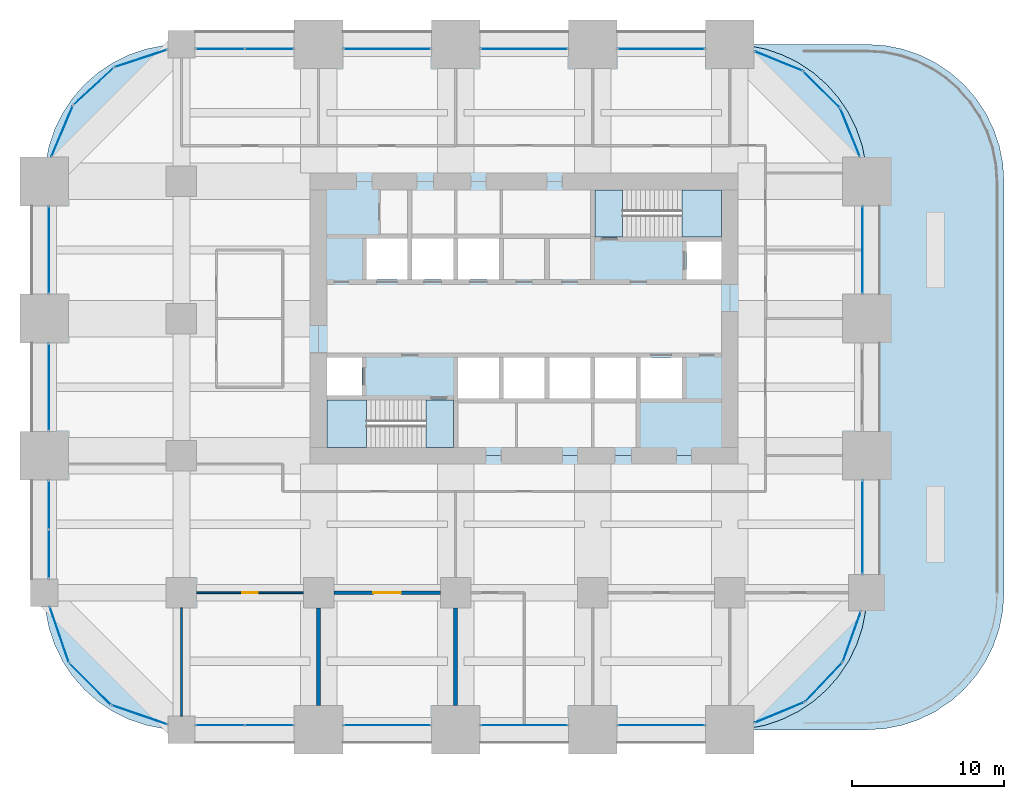
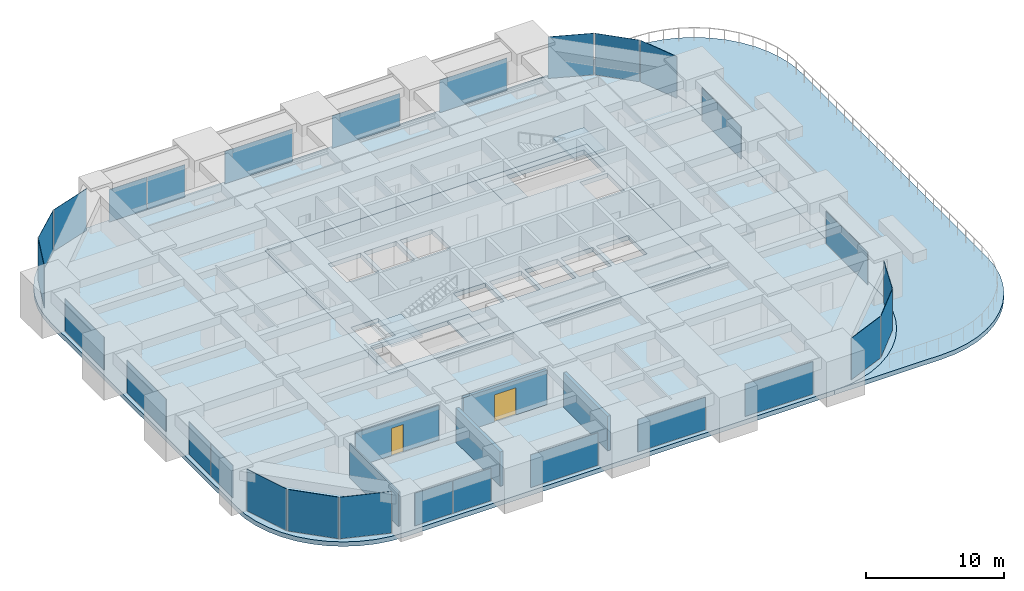
# One storey, part 30 of 35: 28 plates, 7 slabs, 5 walls, 2 doors, 2 openings, 27 elements without a shape of their own.
"""IFC4 building model written with IfcOpenShell, lengths in metres."""

from ifc_helpers import new_model, si_unit, direction, frame, frame_2d, origin, origin_2d, place, context, subcontext, project, spatial, polyline, rectangle, outline, extrude, material, layer, layer_set, type_object, element, fill, aggregate, save


model = new_model("IFC4")

# Units and contexts
model_context = context("Model", 3, precision=1e-05, world=origin(), true_north=direction((0.0, 1.0)))
body_context = subcontext(model_context, "Body", "Model", "MODEL_VIEW")
ifc_project = project(units=[si_unit("LENGTHUNIT", "METRE"), si_unit("AREAUNIT", "SQUARE_METRE"), si_unit("VOLUMEUNIT", "CUBIC_METRE"), si_unit("PLANEANGLEUNIT", "RADIAN"), si_unit("MASSUNIT", "GRAM", prefix="KILO")], contexts=[model_context])

# Site, building, storey
site_placement = place(None, origin())
site = spatial("IfcSite", under=ifc_project, at=site_placement, CompositionType="ELEMENT")
building_placement = place(site_placement, origin())
building = spatial("IfcBuilding", under=site, at=building_placement, Name="Zorevar Civic Tower", CompositionType="ELEMENT")
storey_placement = place(building_placement, frame((0.0, 0.0, 162.199951171875)))
storey = spatial("IfcBuildingStorey", under=building, at=storey_placement, Name="L39", CompositionType="ELEMENT", Elevation=162.199951171875)

# Curtain wall, plates
ifc_material_1 = material(Name="Dark grey solar-control glass in black aluminium frame", Category="aluminium")
curtain_wall_type = type_object("IfcCurtainWallType", Name="Curtain wall CW4 high zone", PredefinedType="NOTDEFINED", material=ifc_material_1)
curtain_wall_1_placement = place(storey_placement, origin())
curtain_wall_1 = element("IfcCurtainWall", 1, at=curtain_wall_1_placement, inside=storey, type_object=curtain_wall_type, Name="CW4 L39", PredefinedType="NOTDEFINED")
ifc_material_2 = material(Name="Dark grey solar-control glass", Category="glass")
ifc_layer_1 = layer(ifc_material_2, 0.028076171875)
ifc_layer_set_1 = layer_set([ifc_layer_1], Name="CW4 panel 28")
plate_type = type_object("IfcPlateType", Name="CW4 panel 28", PredefinedType="CURTAIN_PANEL", material=ifc_layer_set_1)
plate_1_placement = place(storey_placement, frame((11.5400390625, 0.300048828125, 0.06005859375), z_axis=(0.0, 0.0, 1.0), x_axis=(1.0, 0.0, 0.0)))
plate_1 = element("IfcPlate", 2, at=plate_1_placement, type_object=plate_type, Name="CW4 panel 1.1", PredefinedType="CURTAIN_PANEL", context=body_context, shape_type="SweptSolid", body=[
    extrude(rectangle(XDim=3.159912109375, YDim=0.028076171875, at=origin_2d()), origin(), (0.0, 0.0, 1.0), 2.889892578125),
])
plate_2_placement = place(storey_placement, frame((14.760009765625, 0.300048828125, 0.06005859375), z_axis=(0.0, 0.0, 1.0), x_axis=(1.0, 0.0, 0.0)))
plate_2 = element("IfcPlate", 3, at=plate_2_placement, type_object=plate_type, Name="CW4 panel 2.1", PredefinedType="CURTAIN_PANEL", context=body_context, shape_type="SweptSolid", body=[
    extrude(rectangle(XDim=3.159912109375, YDim=0.028076171875, at=origin_2d()), origin(), (0.0, 0.0, 1.0), 2.889892578125),
])
aggregate(curtain_wall_1, [plate_1, plate_2])

curtain_wall_2_placement = place(storey_placement, origin())
curtain_wall_2 = element("IfcCurtainWall", 4, at=curtain_wall_2_placement, inside=storey, type_object=curtain_wall_type, Name="CW4 L39", PredefinedType="NOTDEFINED")
plate_3_placement = place(storey_placement, frame((11.5400390625, 44.699951171875, 0.06005859375), z_axis=(0.0, 0.0, 1.0), x_axis=(1.0, 0.0, 0.0)))
plate_3 = element("IfcPlate", 5, at=plate_3_placement, type_object=plate_type, Name="CW4 panel 1.1", PredefinedType="CURTAIN_PANEL", context=body_context, shape_type="SweptSolid", body=[
    extrude(rectangle(XDim=3.159912109375, YDim=0.028076171875, at=origin_2d()), origin(), (0.0, 0.0, 1.0), 2.889892578125),
])
plate_4_placement = place(storey_placement, frame((14.760009765625, 44.699951171875, 0.06005859375), z_axis=(0.0, 0.0, 1.0), x_axis=(1.0, 0.0, 0.0)))
plate_4 = element("IfcPlate", 6, at=plate_4_placement, type_object=plate_type, Name="CW4 panel 2.1", PredefinedType="CURTAIN_PANEL", context=body_context, shape_type="SweptSolid", body=[
    extrude(rectangle(XDim=3.159912109375, YDim=0.028076171875, at=origin_2d()), origin(), (0.0, 0.0, 1.0), 2.889892578125),
])
aggregate(curtain_wall_2, [plate_3, plate_4])

# Curtain wall, plate
curtain_wall_3_placement = place(storey_placement, origin())
curtain_wall_3 = element("IfcCurtainWall", 7, at=curtain_wall_3_placement, inside=storey, type_object=curtain_wall_type, Name="CW4 L39", PredefinedType="NOTDEFINED")
plate_5_placement = place(storey_placement, frame((22.5, 0.300048828125, 0.06005859375), z_axis=(0.0, 0.0, 1.0), x_axis=(1.0, 0.0, 0.0)))
plate_5 = element("IfcPlate", 8, at=plate_5_placement, type_object=plate_type, Name="CW4 panel 1.1", PredefinedType="CURTAIN_PANEL", context=body_context, shape_type="SweptSolid", body=[
    extrude(rectangle(XDim=5.679931640625, YDim=0.028076171875, at=origin_2d()), origin(), (0.0, 0.0, 1.0), 2.889892578125),
])
aggregate(curtain_wall_3, [plate_5])

curtain_wall_4_placement = place(storey_placement, origin())
curtain_wall_4 = element("IfcCurtainWall", 9, at=curtain_wall_4_placement, inside=storey, type_object=curtain_wall_type, Name="CW4 L39", PredefinedType="NOTDEFINED")
plate_6_placement = place(storey_placement, frame((22.5, 44.699951171875, 0.06005859375), z_axis=(0.0, 0.0, 1.0), x_axis=(1.0, 0.0, 0.0)))
plate_6 = element("IfcPlate", 10, at=plate_6_placement, type_object=plate_type, Name="CW4 panel 1.1", PredefinedType="CURTAIN_PANEL", context=body_context, shape_type="SweptSolid", body=[
    extrude(rectangle(XDim=5.679931640625, YDim=0.028076171875, at=origin_2d()), origin(), (0.0, 0.0, 1.0), 2.889892578125),
])
aggregate(curtain_wall_4, [plate_6])

curtain_wall_5_placement = place(storey_placement, origin())
curtain_wall_5 = element("IfcCurtainWall", 11, at=curtain_wall_5_placement, inside=storey, type_object=curtain_wall_type, Name="CW4 L39", PredefinedType="NOTDEFINED")
plate_7_placement = place(storey_placement, frame((31.5, 0.300048828125, 0.06005859375), z_axis=(0.0, 0.0, 1.0), x_axis=(1.0, 0.0, 0.0)))
plate_7 = element("IfcPlate", 12, at=plate_7_placement, type_object=plate_type, Name="CW4 panel 1.1", PredefinedType="CURTAIN_PANEL", context=body_context, shape_type="SweptSolid", body=[
    extrude(rectangle(XDim=5.679931640625, YDim=0.028076171875, at=origin_2d()), origin(), (0.0, 0.0, 1.0), 2.889892578125),
])
aggregate(curtain_wall_5, [plate_7])

curtain_wall_6_placement = place(storey_placement, origin())
curtain_wall_6 = element("IfcCurtainWall", 13, at=curtain_wall_6_placement, inside=storey, type_object=curtain_wall_type, Name="CW4 L39", PredefinedType="NOTDEFINED")
plate_8_placement = place(storey_placement, frame((31.5, 44.699951171875, 0.06005859375), z_axis=(0.0, 0.0, 1.0), x_axis=(1.0, 0.0, 0.0)))
plate_8 = element("IfcPlate", 14, at=plate_8_placement, type_object=plate_type, Name="CW4 panel 1.1", PredefinedType="CURTAIN_PANEL", context=body_context, shape_type="SweptSolid", body=[
    extrude(rectangle(XDim=5.679931640625, YDim=0.028076171875, at=origin_2d()), origin(), (0.0, 0.0, 1.0), 2.889892578125),
])
aggregate(curtain_wall_6, [plate_8])

curtain_wall_7_placement = place(storey_placement, origin())
curtain_wall_7 = element("IfcCurtainWall", 15, at=curtain_wall_7_placement, inside=storey, type_object=curtain_wall_type, Name="CW4 L39", PredefinedType="NOTDEFINED")
plate_9_placement = place(storey_placement, frame((40.5, 0.300048828125, 0.06005859375), z_axis=(0.0, 0.0, 1.0), x_axis=(1.0, 0.0, 0.0)))
plate_9 = element("IfcPlate", 16, at=plate_9_placement, type_object=plate_type, Name="CW4 panel 1.1", PredefinedType="CURTAIN_PANEL", context=body_context, shape_type="SweptSolid", body=[
    extrude(rectangle(XDim=5.679931640625, YDim=0.028076171875, at=origin_2d()), origin(), (0.0, 0.0, 1.0), 2.889892578125),
])
aggregate(curtain_wall_7, [plate_9])

curtain_wall_8_placement = place(storey_placement, origin())
curtain_wall_8 = element("IfcCurtainWall", 17, at=curtain_wall_8_placement, inside=storey, type_object=curtain_wall_type, Name="CW4 L39", PredefinedType="NOTDEFINED")
plate_10_placement = place(storey_placement, frame((40.5, 44.699951171875, 0.06005859375), z_axis=(0.0, 0.0, 1.0), x_axis=(1.0, 0.0, 0.0)))
plate_10 = element("IfcPlate", 18, at=plate_10_placement, type_object=plate_type, Name="CW4 panel 1.1", PredefinedType="CURTAIN_PANEL", context=body_context, shape_type="SweptSolid", body=[
    extrude(rectangle(XDim=5.679931640625, YDim=0.028076171875, at=origin_2d()), origin(), (0.0, 0.0, 1.0), 2.889892578125),
])
aggregate(curtain_wall_8, [plate_10])

# Curtain wall, plates
curtain_wall_9_placement = place(storey_placement, origin())
curtain_wall_9 = element("IfcCurtainWall", 19, at=curtain_wall_9_placement, inside=storey, type_object=curtain_wall_type, Name="CW4 L39", PredefinedType="NOTDEFINED")
plate_11_placement = place(storey_placement, frame((0.300048828125, 11.5400390625, 0.06005859375), z_axis=(0.0, 0.0, 1.0), x_axis=(0.0, 1.0, 0.0)))
plate_11 = element("IfcPlate", 20, at=plate_11_placement, type_object=plate_type, Name="CW4 panel 1.1", PredefinedType="CURTAIN_PANEL", context=body_context, shape_type="SweptSolid", body=[
    extrude(rectangle(XDim=3.159912109375, YDim=0.028076171875, at=origin_2d()), origin(), (0.0, 0.0, 1.0), 2.889892578125),
])
plate_12_placement = place(storey_placement, frame((0.300048828125, 14.760009765625, 0.06005859375), z_axis=(0.0, 0.0, 1.0), x_axis=(0.0, 1.0, 0.0)))
plate_12 = element("IfcPlate", 21, at=plate_12_placement, type_object=plate_type, Name="CW4 panel 2.1", PredefinedType="CURTAIN_PANEL", context=body_context, shape_type="SweptSolid", body=[
    extrude(rectangle(XDim=3.159912109375, YDim=0.028076171875, at=origin_2d()), origin(), (0.0, 0.0, 1.0), 2.889892578125),
])
aggregate(curtain_wall_9, [plate_11, plate_12])

# Curtain wall, plate
curtain_wall_10_placement = place(storey_placement, origin())
curtain_wall_10 = element("IfcCurtainWall", 22, at=curtain_wall_10_placement, inside=storey, type_object=curtain_wall_type, Name="CW4 L39", PredefinedType="NOTDEFINED")
plate_13_placement = place(storey_placement, frame((53.699951171875, 13.300048828125, 0.06005859375), z_axis=(0.0, 0.0, 1.0), x_axis=(0.0, 1.0, 0.0)))
plate_13 = element("IfcPlate", 23, at=plate_13_placement, type_object=plate_type, Name="CW4 panel 1.1", PredefinedType="CURTAIN_PANEL", context=body_context, shape_type="SweptSolid", body=[
    extrude(rectangle(XDim=6.080078125, YDim=0.028076171875, at=origin_2d()), origin(), (0.0, 0.0, 1.0), 2.889892578125),
])
aggregate(curtain_wall_10, [plate_13])

curtain_wall_11_placement = place(storey_placement, origin())
curtain_wall_11 = element("IfcCurtainWall", 24, at=curtain_wall_11_placement, inside=storey, type_object=curtain_wall_type, Name="CW4 L39", PredefinedType="NOTDEFINED")
plate_14_placement = place(storey_placement, frame((0.300048828125, 22.5, 0.06005859375), z_axis=(0.0, 0.0, 1.0), x_axis=(0.0, 1.0, 0.0)))
plate_14 = element("IfcPlate", 25, at=plate_14_placement, type_object=plate_type, Name="CW4 panel 1.1", PredefinedType="CURTAIN_PANEL", context=body_context, shape_type="SweptSolid", body=[
    extrude(rectangle(XDim=5.679931640625, YDim=0.028076171875, at=origin_2d()), origin(), (0.0, 0.0, 1.0), 2.889892578125),
])
aggregate(curtain_wall_11, [plate_14])

curtain_wall_12_placement = place(storey_placement, origin())
curtain_wall_12 = element("IfcCurtainWall", 26, at=curtain_wall_12_placement, inside=storey, type_object=curtain_wall_type, Name="CW4 L39", PredefinedType="NOTDEFINED")
plate_15_placement = place(storey_placement, frame((0.300048828125, 31.5, 0.06005859375), z_axis=(0.0, 0.0, 1.0), x_axis=(0.0, 1.0, 0.0)))
plate_15 = element("IfcPlate", 27, at=plate_15_placement, type_object=plate_type, Name="CW4 panel 1.1", PredefinedType="CURTAIN_PANEL", context=body_context, shape_type="SweptSolid", body=[
    extrude(rectangle(XDim=5.679931640625, YDim=0.028076171875, at=origin_2d()), origin(), (0.0, 0.0, 1.0), 2.889892578125),
])
aggregate(curtain_wall_12, [plate_15])

curtain_wall_13_placement = place(storey_placement, origin())
curtain_wall_13 = element("IfcCurtainWall", 28, at=curtain_wall_13_placement, inside=storey, type_object=curtain_wall_type, Name="CW4 L39", PredefinedType="NOTDEFINED")
plate_16_placement = place(storey_placement, frame((53.699951171875, 31.5, 0.06005859375), z_axis=(0.0, 0.0, 1.0), x_axis=(0.0, 1.0, 0.0)))
plate_16 = element("IfcPlate", 29, at=plate_16_placement, type_object=plate_type, Name="CW4 panel 1.1", PredefinedType="CURTAIN_PANEL", context=body_context, shape_type="SweptSolid", body=[
    extrude(rectangle(XDim=5.679931640625, YDim=0.028076171875, at=origin_2d()), origin(), (0.0, 0.0, 1.0), 2.889892578125),
])
aggregate(curtain_wall_13, [plate_16])

curtain_wall_14_placement = place(storey_placement, origin())
curtain_wall_14 = element("IfcCurtainWall", 30, at=curtain_wall_14_placement, inside=storey, type_object=curtain_wall_type, Name="CW4 L39", PredefinedType="NOTDEFINED")
plate_17_placement = place(storey_placement, frame((48.259033203125, 1.135986328125, 0.06005859375), z_axis=(0.0, 0.0, 1.0), x_axis=(0.92381416997, 0.382841193399, 0.0)))
plate_17 = element("IfcPlate", 31, at=plate_17_placement, type_object=plate_type, Name="CW4 panel 1.1", PredefinedType="CURTAIN_PANEL", context=body_context, shape_type="SweptSolid", body=[
    extrude(rectangle(XDim=3.4716796875, YDim=0.028076171875, at=origin_2d()), origin(), (0.0, 0.0, 1.0), 3.68994140625),
])
aggregate(curtain_wall_14, [plate_17])

curtain_wall_15_placement = place(storey_placement, origin())
curtain_wall_15 = element("IfcCurtainWall", 32, at=curtain_wall_15_placement, inside=storey, type_object=curtain_wall_type, Name="CW4 L39", PredefinedType="NOTDEFINED")
plate_18_placement = place(storey_placement, frame((51.157958984375, 3.12255859375, 0.06005859375), z_axis=(0.0, 0.0, 1.0), x_axis=(0.690436894136, 0.723392628671, 0.0)))
plate_18 = element("IfcPlate", 33, at=plate_18_placement, type_object=plate_type, Name="CW4 panel 1.1", PredefinedType="CURTAIN_PANEL", context=body_context, shape_type="SweptSolid", body=[
    extrude(rectangle(XDim=3.4716796875, YDim=0.028076171875, at=origin_2d()), origin(), (0.0, 0.0, 1.0), 3.68994140625),
])
aggregate(curtain_wall_15, [plate_18])

curtain_wall_16_placement = place(storey_placement, origin())
curtain_wall_16 = element("IfcCurtainWall", 34, at=curtain_wall_16_placement, inside=storey, type_object=curtain_wall_type, Name="CW4 L39", PredefinedType="NOTDEFINED")
plate_19_placement = place(storey_placement, frame((53.00732421875, 6.11083984375, 0.06005859375), z_axis=(0.0, 0.0, 1.0), x_axis=(0.339414723454, 0.940636829761, 0.0)))
plate_19 = element("IfcPlate", 35, at=plate_19_placement, type_object=plate_type, Name="CW4 panel 1.1", PredefinedType="CURTAIN_PANEL", context=body_context, shape_type="SweptSolid", body=[
    extrude(rectangle(XDim=3.4716796875, YDim=0.028076171875, at=origin_2d()), origin(), (0.0, 0.0, 1.0), 3.68994140625),
])
aggregate(curtain_wall_16, [plate_19])

curtain_wall_17_placement = place(storey_placement, origin())
curtain_wall_17 = element("IfcCurtainWall", 36, at=curtain_wall_17_placement, inside=storey, type_object=curtain_wall_type, Name="CW4 L39", PredefinedType="NOTDEFINED")
plate_20_placement = place(storey_placement, frame((52.90185546875, 39.202880859375, 0.06005859375), z_axis=(0.0, 0.0, 1.0), x_axis=(-0.375650166453, 0.926761540227, 0.0)))
plate_20 = element("IfcPlate", 37, at=plate_20_placement, type_object=plate_type, Name="CW4 panel 1.1", PredefinedType="CURTAIN_PANEL", context=body_context, shape_type="SweptSolid", body=[
    extrude(rectangle(XDim=3.33935546875, YDim=0.028076171875, at=origin_2d()), origin(), (0.0, 0.0, 1.0), 3.68994140625),
])
aggregate(curtain_wall_17, [plate_20])

curtain_wall_18_placement = place(storey_placement, origin())
curtain_wall_18 = element("IfcCurtainWall", 38, at=curtain_wall_18_placement, inside=storey, type_object=curtain_wall_type, Name="CW4 L39", PredefinedType="NOTDEFINED")
plate_21_placement = place(storey_placement, frame((51.029052734375, 42.029052734375, 0.06005859375), z_axis=(0.0, 0.0, 1.0), x_axis=(-0.707106781187, 0.707106781187, 0.0)))
plate_21 = element("IfcPlate", 39, at=plate_21_placement, type_object=plate_type, Name="CW4 panel 1.1", PredefinedType="CURTAIN_PANEL", context=body_context, shape_type="SweptSolid", body=[
    extrude(rectangle(XDim=3.33935546875, YDim=0.028076171875, at=origin_2d()), origin(), (0.0, 0.0, 1.0), 3.68994140625),
])
aggregate(curtain_wall_18, [plate_21])

curtain_wall_19_placement = place(storey_placement, origin())
curtain_wall_19 = element("IfcCurtainWall", 40, at=curtain_wall_19_placement, inside=storey, type_object=curtain_wall_type, Name="CW4 L39", PredefinedType="NOTDEFINED")
plate_22_placement = place(storey_placement, frame((48.202880859375, 43.90185546875, 0.06005859375), z_axis=(0.0, 0.0, 1.0), x_axis=(-0.926761540227, 0.375650166453, 0.0)))
plate_22 = element("IfcPlate", 41, at=plate_22_placement, type_object=plate_type, Name="CW4 panel 1.1", PredefinedType="CURTAIN_PANEL", context=body_context, shape_type="SweptSolid", body=[
    extrude(rectangle(XDim=3.33935546875, YDim=0.028076171875, at=origin_2d()), origin(), (0.0, 0.0, 1.0), 3.68994140625),
])
aggregate(curtain_wall_19, [plate_22])

curtain_wall_20_placement = place(storey_placement, origin())
curtain_wall_20 = element("IfcCurtainWall", 42, at=curtain_wall_20_placement, inside=storey, type_object=curtain_wall_type, Name="CW4 L39", PredefinedType="NOTDEFINED")
plate_23_placement = place(storey_placement, frame((6.34716796875, 44.07763671875, 0.06005859375), z_axis=(0.0, 0.0, 1.0), x_axis=(-0.950070156117, -0.31203637361, 0.0)))
plate_23 = element("IfcPlate", 43, at=plate_23_placement, type_object=plate_type, Name="CW4 panel 1.1", PredefinedType="CURTAIN_PANEL", context=body_context, shape_type="SweptSolid", body=[
    extrude(rectangle(XDim=3.570068359375, YDim=0.028076171875, at=origin_2d()), origin(), (0.0, 0.0, 1.0), 3.68994140625),
])
aggregate(curtain_wall_20, [plate_23])

curtain_wall_21_placement = place(storey_placement, origin())
curtain_wall_21 = element("IfcCurtainWall", 44, at=curtain_wall_21_placement, inside=storey, type_object=curtain_wall_type, Name="CW4 L39", PredefinedType="NOTDEFINED")
plate_24_placement = place(storey_placement, frame((3.237548828125, 42.251220703125, 0.06005859375), z_axis=(0.0, 0.0, 1.0), x_axis=(-0.7352671134, -0.677777450165, 0.0)))
plate_24 = element("IfcPlate", 45, at=plate_24_placement, type_object=plate_type, Name="CW4 panel 1.1", PredefinedType="CURTAIN_PANEL", context=body_context, shape_type="SweptSolid", body=[
    extrude(rectangle(XDim=3.570068359375, YDim=0.028076171875, at=origin_2d()), origin(), (0.0, 0.0, 1.0), 3.68994140625),
])
aggregate(curtain_wall_21, [plate_24])

curtain_wall_22_placement = place(storey_placement, origin())
curtain_wall_22 = element("IfcCurtainWall", 46, at=curtain_wall_22_placement, inside=storey, type_object=curtain_wall_type, Name="CW4 L39", PredefinedType="NOTDEFINED")
plate_25_placement = place(storey_placement, frame((1.16455078125, 39.30029296875, 0.06005859375), z_axis=(0.0, 0.0, 1.0), x_axis=(-0.388184349349, -0.921581744025, 0.0)))
plate_25 = element("IfcPlate", 47, at=plate_25_placement, type_object=plate_type, Name="CW4 panel 1.1", PredefinedType="CURTAIN_PANEL", context=body_context, shape_type="SweptSolid", body=[
    extrude(rectangle(XDim=3.570068359375, YDim=0.028076171875, at=origin_2d()), origin(), (0.0, 0.0, 1.0), 3.68994140625),
])
aggregate(curtain_wall_22, [plate_25])

curtain_wall_23_placement = place(storey_placement, origin())
curtain_wall_23 = element("IfcCurtainWall", 48, at=curtain_wall_23_placement, inside=storey, type_object=curtain_wall_type, Name="CW4 L39", PredefinedType="NOTDEFINED")
plate_26_placement = place(storey_placement, frame((0.9833984375, 6.24609375, 0.06005859375), z_axis=(0.0, 0.0, 1.0), x_axis=(0.324878466857, -0.945755772794, 0.0)))
plate_26 = element("IfcPlate", 49, at=plate_26_placement, type_object=plate_type, Name="CW4 panel 1.1", PredefinedType="CURTAIN_PANEL", context=body_context, shape_type="SweptSolid", body=[
    extrude(rectangle(XDim=3.80029296875, YDim=0.028076171875, at=origin_2d()), origin(), (0.0, 0.0, 1.0), 3.68994140625),
])
aggregate(curtain_wall_23, [plate_26])

curtain_wall_24_placement = place(storey_placement, origin())
curtain_wall_24 = element("IfcCurtainWall", 50, at=curtain_wall_24_placement, inside=storey, type_object=curtain_wall_type, Name="CW4 L39", PredefinedType="NOTDEFINED")
plate_27_placement = place(storey_placement, frame((3.00634765625, 3.00634765625, 0.06005859375), z_axis=(0.0, 0.0, 1.0), x_axis=(0.707106781187, -0.707106781187, 0.0)))
plate_27 = element("IfcPlate", 51, at=plate_27_placement, type_object=plate_type, Name="CW4 panel 1.1", PredefinedType="CURTAIN_PANEL", context=body_context, shape_type="SweptSolid", body=[
    extrude(rectangle(XDim=3.80029296875, YDim=0.028076171875, at=origin_2d()), origin(), (0.0, 0.0, 1.0), 3.68994140625),
])
aggregate(curtain_wall_24, [plate_27])

curtain_wall_25_placement = place(storey_placement, origin())
curtain_wall_25 = element("IfcCurtainWall", 52, at=curtain_wall_25_placement, inside=storey, type_object=curtain_wall_type, Name="CW4 L39", PredefinedType="NOTDEFINED")
plate_28_placement = place(storey_placement, frame((6.24609375, 0.9833984375, 0.06005859375), z_axis=(0.0, 0.0, 1.0), x_axis=(0.945755772794, -0.324878466857, 0.0)))
plate_28 = element("IfcPlate", 53, at=plate_28_placement, type_object=plate_type, Name="CW4 panel 1.1", PredefinedType="CURTAIN_PANEL", context=body_context, shape_type="SweptSolid", body=[
    extrude(rectangle(XDim=3.80029296875, YDim=0.028076171875, at=origin_2d()), origin(), (0.0, 0.0, 1.0), 3.68994140625),
])
aggregate(curtain_wall_25, [plate_28])

# Slabs
ifc_material_3 = material(Name="Concrete C40/50", Category="concrete")
ifc_layer_2 = layer(ifc_material_3, 0.39990234375)
ifc_layer_set_2 = layer_set([ifc_layer_2], Name="Floor slab 400")
slab_type_1 = type_object("IfcSlabType", Name="Floor slab 400", PredefinedType="FLOOR", material=ifc_layer_set_2)
slab_1_placement = place(storey_placement, frame((0.0, 0.0, -0.39990234375)))
element("IfcSlab", 54, at=slab_1_placement, inside=storey, type_object=slab_type_1, Name="Floor slab L39", PredefinedType="FLOOR", context=body_context, shape_type="SweptSolid", body=[
    extrude(outline(polyline([(45.0, 0.0), (46.1748046875, 0.076904296875), (47.329345703125, 0.306640625), (48.444091796875, 0.68505859375), (49.5, 1.205810546875), (50.478759765625, 1.85986328125), (51.364013671875, 2.635986328125), (52.14013671875, 3.521240234375), (52.794189453125, 4.5), (53.31494140625, 5.555908203125), (53.693359375, 6.670654296875), (53.923095703125, 7.8251953125), (54.0, 9.0), (54.0, 36.0), (53.923095703125, 37.1748046875), (53.693359375, 38.329345703125), (53.31494140625, 39.444091796875), (52.794189453125, 40.5), (52.14013671875, 41.478759765625), (51.364013671875, 42.364013671875), (50.478759765625, 43.14013671875), (49.5, 43.794189453125), (48.444091796875, 44.31494140625), (47.329345703125, 44.693359375), (46.1748046875, 44.923095703125), (45.0, 45.0), (9.0, 45.0), (7.8251953125, 44.923095703125), (6.670654296875, 44.693359375), (5.555908203125, 44.31494140625), (4.5, 43.794189453125), (3.521240234375, 43.14013671875), (2.635986328125, 42.364013671875), (1.85986328125, 41.478759765625), (1.205810546875, 40.5), (0.68505859375, 39.444091796875), (0.306640625, 38.329345703125), (0.076904296875, 37.1748046875), (0.0, 36.0), (0.0, 9.0), (0.076904296875, 7.8251953125), (0.306640625, 6.670654296875), (0.68505859375, 5.555908203125), (1.205810546875, 4.5), (1.85986328125, 3.521240234375), (2.635986328125, 2.635986328125), (3.521240234375, 1.85986328125), (4.5, 1.205810546875), (5.555908203125, 0.68505859375), (6.670654296875, 0.306640625), (7.8251953125, 0.076904296875), (9.0, 0.0), (45.0, 0.0)]), holes=[polyline([(18.0, 18.0), (45.0, 18.0), (45.0, 36.0), (18.0, 36.0), (18.0, 18.0)])]), origin(), (0.0, 0.0, 1.0), 0.39990234375),
])
slab_2_placement = place(storey_placement, frame((0.0, 0.0, -0.39990234375)))
element("IfcSlab", 55, at=slab_2_placement, inside=storey, type_object=slab_type_1, Name="Core floor L39", PredefinedType="FLOOR", context=body_context, shape_type="SweptSolid", body=[
    extrude(outline(polyline([(18.0, 18.0), (45.0, 18.0), (45.0, 36.0), (18.0, 36.0), (18.0, 18.0)]), holes=[polyline([(18.550048828125, 18.550048828125), (26.85009765625, 18.550048828125), (26.85009765625, 21.64990234375), (18.550048828125, 21.64990234375), (18.550048828125, 18.550048828125)]), polyline([(36.14990234375, 32.35009765625), (44.449951171875, 32.35009765625), (44.449951171875, 35.449951171875), (36.14990234375, 35.449951171875), (36.14990234375, 32.35009765625)]), polyline([(18.550048828125, 21.949951171875), (20.85009765625, 21.949951171875), (20.85009765625, 24.449951171875), (18.550048828125, 24.449951171875), (18.550048828125, 21.949951171875)]), polyline([(42.14990234375, 29.550048828125), (44.449951171875, 29.550048828125), (44.449951171875, 32.050048828125), (42.14990234375, 32.050048828125), (42.14990234375, 29.550048828125)]), polyline([(27.14990234375, 21.75), (29.85009765625, 21.75), (29.85009765625, 24.449951171875), (27.14990234375, 24.449951171875), (27.14990234375, 21.75)]), polyline([(30.14990234375, 21.75), (32.85009765625, 21.75), (32.85009765625, 24.449951171875), (30.14990234375, 24.449951171875), (30.14990234375, 21.75)]), polyline([(33.14990234375, 21.75), (35.85009765625, 21.75), (35.85009765625, 24.449951171875), (33.14990234375, 24.449951171875), (33.14990234375, 21.75)]), polyline([(27.14990234375, 29.550048828125), (29.85009765625, 29.550048828125), (29.85009765625, 32.25), (27.14990234375, 32.25), (27.14990234375, 29.550048828125)]), polyline([(36.14990234375, 21.75), (38.85009765625, 21.75), (38.85009765625, 24.449951171875), (36.14990234375, 24.449951171875), (36.14990234375, 21.75)]), polyline([(24.14990234375, 29.550048828125), (26.85009765625, 29.550048828125), (26.85009765625, 32.25), (24.14990234375, 32.25), (24.14990234375, 29.550048828125)]), polyline([(39.14990234375, 21.75), (41.85009765625, 21.75), (41.85009765625, 24.449951171875), (39.14990234375, 24.449951171875), (39.14990234375, 21.75)]), polyline([(21.14990234375, 29.550048828125), (23.85009765625, 29.550048828125), (23.85009765625, 32.25), (21.14990234375, 32.25), (21.14990234375, 29.550048828125)])]), origin(), (0.0, 0.0, 1.0), 0.39990234375),
])

# Stair, slabs
ifc_material_4 = material(Name="Precast concrete C40/50", Category="concrete")
stair_type = type_object("IfcStairType", Name="Stair ST 28R", PredefinedType="HALF_TURN_STAIR", material=ifc_material_4)
stair_1_placement = place(storey_placement, origin())
stair_1 = element("IfcStair", 56, at=stair_1_placement, inside=storey, type_object=stair_type, Name="Stair ST1 L39", PredefinedType="HALF_TURN_STAIR")
ifc_material_5 = material(Name="Concrete C40/50", Category="concrete")
ifc_layer_3 = layer(ifc_material_5, 0.199951171875)
ifc_layer_set_3 = layer_set([ifc_layer_3], Name="Stair landing 200")
slab_type_2 = type_object("IfcSlabType", Name="Stair landing 200", PredefinedType="LANDING", material=ifc_layer_set_3)
slab_3_placement = place(storey_placement, frame((0.0, 0.0, -0.199951171875)))
slab_3 = element("IfcSlab", 57, at=slab_3_placement, type_object=slab_type_2, Name="ST1 landing 1", PredefinedType="LANDING", context=body_context, shape_type="SweptSolid", body=[
    extrude(outline(polyline([(25.050048828125, 18.550048828125), (26.85009765625, 18.550048828125), (26.85009765625, 21.64990234375), (25.050048828125, 21.64990234375), (25.050048828125, 18.550048828125)])), origin(), (0.0, 0.0, 1.0), 0.199951171875),
])
slab_4_placement = place(storey_placement, frame((0.0, 0.0, 1.800048828125)))
slab_4 = element("IfcSlab", 58, at=slab_4_placement, type_object=slab_type_2, Name="ST1 landing 2", PredefinedType="LANDING", context=body_context, shape_type="SweptSolid", body=[
    extrude(outline(polyline([(18.550048828125, 18.550048828125), (21.14990234375, 18.550048828125), (21.14990234375, 21.64990234375), (18.550048828125, 21.64990234375), (18.550048828125, 18.550048828125)])), origin(), (0.0, 0.0, 1.0), 0.199951171875),
])
aggregate(stair_1, [slab_3, slab_4])

stair_2_placement = place(storey_placement, origin())
stair_2 = element("IfcStair", 59, at=stair_2_placement, inside=storey, type_object=stair_type, Name="Stair ST2 L39", PredefinedType="HALF_TURN_STAIR")
slab_5_placement = place(storey_placement, frame((0.0, 0.0, -0.199951171875)))
slab_5 = element("IfcSlab", 60, at=slab_5_placement, type_object=slab_type_2, Name="ST2 landing 1", PredefinedType="LANDING", context=body_context, shape_type="SweptSolid", body=[
    extrude(outline(polyline([(37.949951171875, 32.35009765625), (36.14990234375, 32.35009765625), (36.14990234375, 35.449951171875), (37.949951171875, 35.449951171875), (37.949951171875, 32.35009765625)])), origin(), (0.0, 0.0, 1.0), 0.199951171875),
])
slab_6_placement = place(storey_placement, frame((0.0, 0.0, 1.800048828125)))
slab_6 = element("IfcSlab", 61, at=slab_6_placement, type_object=slab_type_2, Name="ST2 landing 2", PredefinedType="LANDING", context=body_context, shape_type="SweptSolid", body=[
    extrude(outline(polyline([(44.449951171875, 32.35009765625), (41.85009765625, 32.35009765625), (41.85009765625, 35.449951171875), (44.449951171875, 35.449951171875), (44.449951171875, 32.35009765625)])), origin(), (0.0, 0.0, 1.0), 0.199951171875),
])
aggregate(stair_2, [slab_5, slab_6])

# Slab
ifc_material_6 = material(Name="Concrete C40/50", Category="concrete")
ifc_layer_4 = layer(ifc_material_6, 0.39990234375)
ifc_layer_set_4 = layer_set([ifc_layer_4], Name="Terrace slab 400")
slab_type_3 = type_object("IfcSlabType", Name="Terrace slab 400", PredefinedType="ROOF", material=ifc_layer_set_4)
slab_7_placement = place(storey_placement, frame((0.0, 0.0, -0.39990234375)))
element("IfcSlab", 62, at=slab_7_placement, inside=storey, type_object=slab_type_3, Name="Terrace slab L39", PredefinedType="ROOF", context=body_context, shape_type="SweptSolid", body=[
    extrude(outline(polyline([(54.0, 45.0), (55.1748046875, 44.923095703125), (56.329345703125, 44.693359375), (57.444091796875, 44.31494140625), (58.5, 43.794189453125), (59.478759765625, 43.14013671875), (60.364013671875, 42.364013671875), (61.14013671875, 41.478759765625), (61.794189453125, 40.5), (62.31494140625, 39.444091796875), (62.693359375, 38.329345703125), (62.923095703125, 37.1748046875), (63.0, 36.0), (63.0, 9.0), (62.923095703125, 7.8251953125), (62.693359375, 6.670654296875), (62.31494140625, 5.555908203125), (61.794189453125, 4.5), (61.14013671875, 3.521240234375), (60.364013671875, 2.635986328125), (59.478759765625, 1.85986328125), (58.5, 1.205810546875), (57.444091796875, 0.68505859375), (56.329345703125, 0.306640625), (55.1748046875, 0.076904296875), (54.0, 0.0), (45.0, 0.0), (46.1748046875, 0.076904296875), (47.329345703125, 0.306640625), (48.444091796875, 0.68505859375), (49.5, 1.205810546875), (50.478759765625, 1.85986328125), (51.364013671875, 2.635986328125), (52.14013671875, 3.521240234375), (52.794189453125, 4.5), (53.31494140625, 5.555908203125), (53.693359375, 6.670654296875), (53.923095703125, 7.8251953125), (54.0, 9.0), (54.0, 36.0), (53.923095703125, 37.1748046875), (53.693359375, 38.329345703125), (53.31494140625, 39.444091796875), (52.794189453125, 40.5), (52.14013671875, 41.478759765625), (51.364013671875, 42.364013671875), (50.478759765625, 43.14013671875), (49.5, 43.794189453125), (48.444091796875, 44.31494140625), (47.329345703125, 44.693359375), (46.1748046875, 44.923095703125), (45.0, 45.0), (54.0, 45.0)])), origin(), (0.0, 0.0, 1.0), 0.39990234375),
])

# Wall, opening, door
ifc_material_7 = material(Name="Twin-stud acoustic wall, gypsum board")
ifc_layer_5 = layer(ifc_material_7, 0.25)
ifc_layer_set_5 = layer_set([ifc_layer_5], Name="Acoustic wall 250")
wall_type_1 = type_object("IfcWallType", Name="Acoustic wall 250", PredefinedType="PARTITIONING", material=ifc_layer_set_5)
wall_1_placement = place(storey_placement, frame((19.0, 9.0, 0.0), z_axis=(0.0, 0.0, 1.0), x_axis=(1.0, 0.0, 0.0)))
wall_1 = element("IfcWall", 63, at=wall_1_placement, inside=storey, type_object=wall_type_1, Name="Acoustic wall 250 L39", PredefinedType="PARTITIONING", context=body_context, shape_type="SweptSolid", body=[
    extrude(rectangle(XDim=7.0, YDim=0.25, at=frame_2d((3.5, 0.0))), origin(), (0.0, 0.0, 1.0), 3.050048828125),
])
opening_1_placement = place(wall_1_placement, frame((2.60009765625, 0.0, 0.0)))
opening_1 = element("IfcOpeningElement", 64, at=opening_1_placement, cuts=wall_1, Name="Opening L39.17", PredefinedType="OPENING", context=body_context, shape_type="SweptSolid", body=[
    extrude(rectangle(XDim=1.800048828125, YDim=2.39990234375, at=frame_2d((0.89990234375, 1.199951171875))), frame((0.0, 0.135009765625, 0.0), z_axis=(0.0, -1.0, 0.0), x_axis=(1.0, 0.0, 0.0)), (0.0, 0.0, 1.0), 0.27001953125),
])
ifc_material_8 = material(Name="Steel door set", Category="steel")
door_type_1 = type_object("IfcDoorType", Name="Door D2 1800x2400", OperationType="DOUBLE_DOOR_SINGLE_SWING", PredefinedType="DOOR", material=ifc_material_8)
door_1_placement = place(opening_1_placement, origin())
door_1 = element("IfcDoor", 65, at=door_1_placement, inside=storey, type_object=door_type_1, Name="Door L39 D1", OperationType="DOUBLE_DOOR_SINGLE_SWING", OverallHeight=2.39990234375, OverallWidth=1.800048828125, PredefinedType="DOOR", context=body_context, shape_type="SweptSolid", body=[
    extrude(rectangle(XDim=1.800048828125, YDim=2.39990234375, at=frame_2d((0.89990234375, 1.199951171875))), frame((0.0, 0.02490234375, 0.0), z_axis=(0.0, -1.0, 0.0), x_axis=(1.0, 0.0, 0.0)), (0.0, 0.0, 1.0), 0.050048828125),
])
fill(opening_1, door_1)

# Walls
for number, where, z_axis, x_axis, name in (
    (66, (18.0, 1.60009765625, 0.0), (0.0, 0.0, 1.0), (0.0, 1.0, 0.0), "Acoustic wall 250 L39"),
    (67, (27.0, 1.60009765625, 0.0), (0.0, 0.0, 1.0), (0.0, 1.0, 0.0), "Acoustic wall 250 L39"),
):
    element("IfcWall", number, at=place(storey_placement, frame(where, z_axis=z_axis, x_axis=x_axis)), inside=storey, type_object=wall_type_1, Name=name, PredefinedType="PARTITIONING", context=body_context, shape_type="SweptSolid", body=[
        extrude(rectangle(XDim=6.39990234375, YDim=0.25, at=frame_2d((3.199951171875, 0.0))), origin(), (0.0, 0.0, 1.0), 3.050048828125),
    ])

# Wall, opening, door
ifc_material_9 = material(Name="Gypsum board on steel studs", Category="steel")
ifc_layer_6 = layer(ifc_material_9, 0.1201171875)
ifc_layer_set_6 = layer_set([ifc_layer_6], Name="Partition 120")
wall_type_2 = type_object("IfcWallType", Name="Partition 120", PredefinedType="PARTITIONING", material=ifc_layer_set_6)
wall_2_placement = place(storey_placement, frame((10.0, 9.0, 0.0), z_axis=(0.0, 0.0, 1.0), x_axis=(1.0, 0.0, 0.0)))
wall_2 = element("IfcWall", 68, at=wall_2_placement, inside=storey, type_object=wall_type_2, Name="Partition 120 L39", PredefinedType="PARTITIONING", context=body_context, shape_type="SweptSolid", body=[
    extrude(rectangle(XDim=7.0, YDim=0.1201171875, at=frame_2d((3.5, 0.0))), origin(), (0.0, 0.0, 1.0), 3.050048828125),
])
opening_2_placement = place(wall_2_placement, frame((3.0, 0.0, 0.0)))
opening_2 = element("IfcOpeningElement", 69, at=opening_2_placement, cuts=wall_2, Name="Opening L39.18", PredefinedType="OPENING", context=body_context, shape_type="SweptSolid", body=[
    extrude(rectangle(XDim=1.0, YDim=2.39990234375, at=frame_2d((0.5, 1.199951171875))), frame((0.0, 0.070068359375, 0.0), z_axis=(0.0, -1.0, 0.0), x_axis=(1.0, 0.0, 0.0)), (0.0, 0.0, 1.0), 0.14013671875),
])
ifc_material_10 = material(Name="Timber door set", Category="wood")
door_type_2 = type_object("IfcDoorType", Name="Door D1 1000x2400", OperationType="SINGLE_SWING_LEFT", PredefinedType="DOOR", material=ifc_material_10)
door_2_placement = place(opening_2_placement, origin())
door_2 = element("IfcDoor", 70, at=door_2_placement, inside=storey, type_object=door_type_2, Name="Door L39 D1", OperationType="SINGLE_SWING_RIGHT", OverallHeight=2.39990234375, OverallWidth=1.0, PredefinedType="DOOR", context=body_context, shape_type="SweptSolid", body=[
    extrude(rectangle(XDim=1.0, YDim=2.39990234375, at=frame_2d((0.5, 1.199951171875))), frame((0.0, 0.02490234375, 0.0), z_axis=(0.0, -1.0, 0.0), x_axis=(1.0, 0.0, 0.0)), (0.0, 0.0, 1.0), 0.050048828125),
])
fill(opening_2, door_2)

# Wall
wall_3_placement = place(storey_placement, frame((9.0, 0.89990234375, 0.0), z_axis=(0.0, 0.0, 1.0), x_axis=(0.0, 1.0, 0.0)))
element("IfcWall", 71, at=wall_3_placement, inside=storey, type_object=wall_type_2, Name="Partition 120 L39", PredefinedType="PARTITIONING", context=body_context, shape_type="SweptSolid", body=[
    extrude(rectangle(XDim=7.10009765625, YDim=0.1201171875, at=frame_2d((3.550048828125, 0.0))), origin(), (0.0, 0.0, 1.0), 3.050048828125),
])

save(model, "model.ifc")
